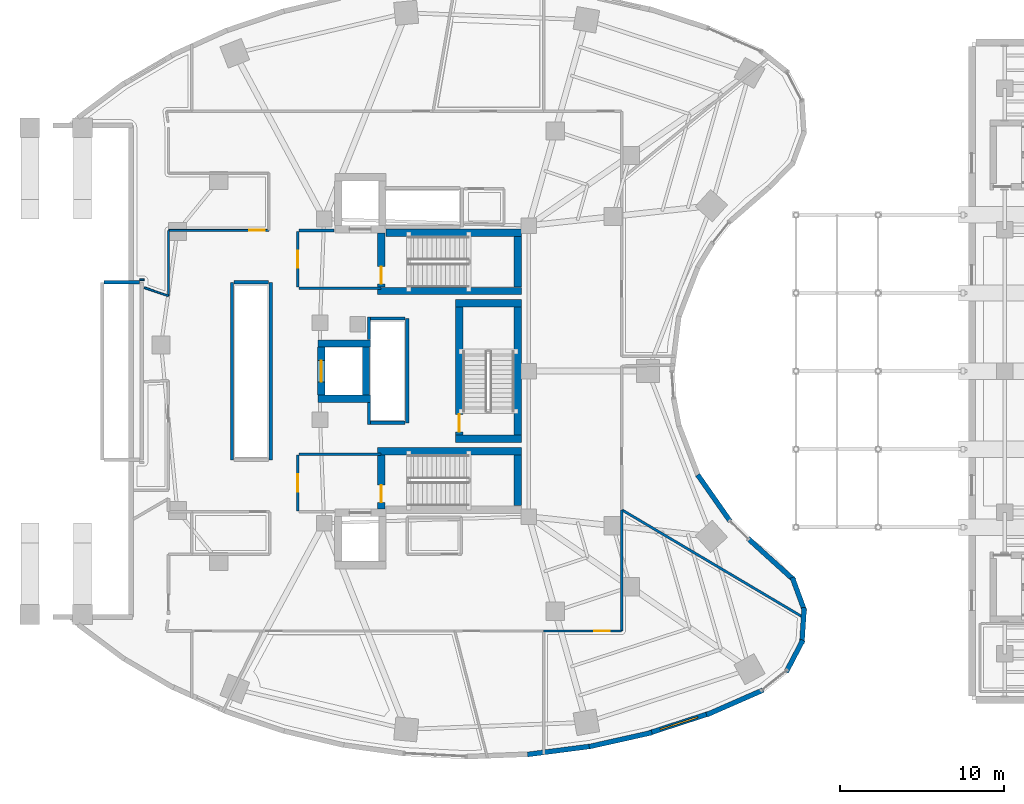
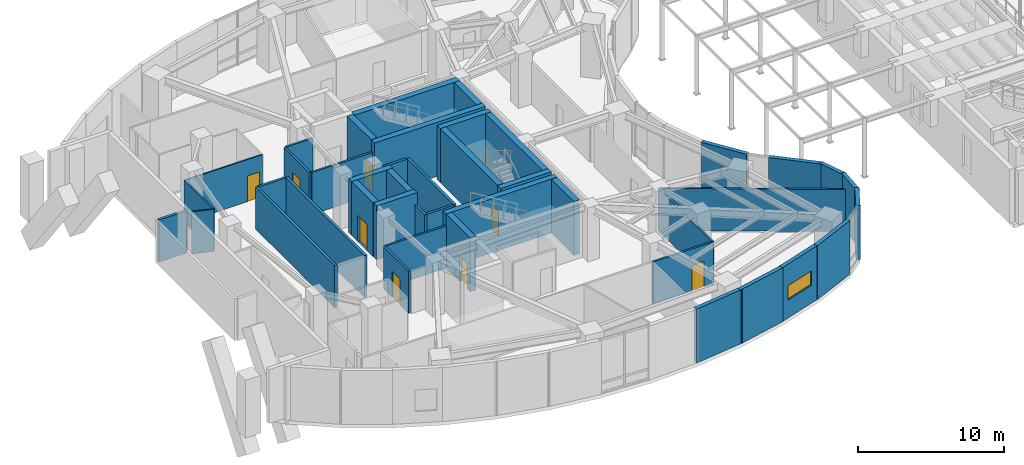
# One storey, part 16 of 24: 45 walls, 8 doors, 1 window, 9 openings.
"""IFC4 building model written with IfcOpenShell, lengths in metres."""

from ifc_helpers import new_model, si_unit, direction, frame, frame_2d, origin, place, context, subcontext, project, spatial, rectangle, extrude, material, layer, layer_set, type_object, element, fill, save


model = new_model("IFC4")

# Units and contexts
model_context = context("Model", 3, precision=1e-05, world=origin(), true_north=direction((0.0, 1.0)))
body_context = subcontext(model_context, "Body", "Model", "MODEL_VIEW")
ifc_project = project(units=[si_unit("LENGTHUNIT", "METRE"), si_unit("AREAUNIT", "SQUARE_METRE"), si_unit("VOLUMEUNIT", "CUBIC_METRE"), si_unit("PLANEANGLEUNIT", "RADIAN"), si_unit("MASSUNIT", "GRAM", prefix="KILO")], contexts=[model_context])

# Site, building, storey
site_placement = place(None, origin())
site = spatial("IfcSite", under=ifc_project, at=site_placement, CompositionType="ELEMENT")
building_placement = place(site_placement, origin())
building = spatial("IfcBuilding", under=site, at=building_placement, Name="Korentha Bioscience Tower", CompositionType="ELEMENT")
storey_placement = place(building_placement, frame((0.0, 0.0, 5.39990234375)))
storey = spatial("IfcBuildingStorey", under=building, at=storey_placement, Name="L01", CompositionType="ELEMENT", Elevation=5.39990234375)

# Wall, opening, door
ifc_material_1 = material(Name="Double-Stud Acoustic Gypsum", Category="gypsum")
ifc_layer_1 = layer(ifc_material_1, 0.14990234375, Name="Double-Stud Acoustic Gypsum")
ifc_layer_set_1 = layer_set([ifc_layer_1], Name="Double-Stud Acoustic Gypsum (IW-L150)")
wall_type_1 = type_object("IfcWallType", Name="Acoustic Laboratory Partition Wall 150", PredefinedType="PARTITIONING", material=ifc_layer_set_1)
wall_1_placement = place(storey_placement, frame((38.4580078125, 11.18994140625, 0.0), z_axis=(0.0, 0.0, 1.0), x_axis=(1.0, 0.0, 0.0)))
wall_1 = element("IfcWall", 1, at=wall_1_placement, inside=storey, type_object=wall_type_1, Name="L01 Bioscience Reference Library 07 Entrance Wall", PredefinedType="PARTITIONING", context=body_context, shape_type="SweptSolid", body=[
    extrude(rectangle(XDim=4.741943359375, YDim=0.14990234375, at=frame_2d((2.37109375, 0.0))), origin(), (0.0, 0.0, 1.0), 3.510009765625),
])
opening_1_placement = place(wall_1_placement, frame((3.063232421875, 0.0, 0.0)))
opening_1 = element("IfcOpeningElement", 2, at=opening_1_placement, cuts=wall_1, Name="Opening ID-10R", PredefinedType="OPENING", context=body_context, shape_type="SweptSolid", body=[
    extrude(rectangle(XDim=0.949951171875, YDim=2.14990234375, at=frame_2d((0.47509765625, 1.074951171875))), frame((0.0, 0.08984375, 0.0), z_axis=(0.0, -1.0, 0.0), x_axis=(1.0, 0.0, 0.0)), (0.0, 0.0, 1.0), 0.1796875),
])
ifc_material_2 = material(Name="Phenolic Laminate Timber Core", Category="wood")
door_type_1 = type_object("IfcDoorType", Name="Laboratory Single Leaf Door 950x2150 Right", OperationType="SINGLE_SWING_RIGHT", PredefinedType="DOOR", material=ifc_material_2)
door_1_placement = place(opening_1_placement, origin())
door_1 = element("IfcDoor", 3, at=door_1_placement, inside=storey, type_object=door_type_1, Name="L01 Bioscience Reference Library 07 Door", OperationType="SINGLE_SWING_RIGHT", OverallHeight=2.14990234375, OverallWidth=0.949951171875, PredefinedType="DOOR", context=body_context, shape_type="SweptSolid", body=[
    extrude(rectangle(XDim=0.949951171875, YDim=2.14990234375, at=frame_2d((0.47509765625, 1.074951171875))), frame((0.0, 0.02490234375, 0.0), z_axis=(0.0, -1.0, 0.0), x_axis=(1.0, 0.0, 0.0)), (0.0, 0.0, 1.0), 0.050048828125),
])
fill(opening_1, door_1)

# Walls
wall_2_placement = place(storey_placement, frame((43.2099609375, 11.199951171875, 0.0), z_axis=(0.0, 0.0, 1.0), x_axis=(0.0, 1.0, 0.0)))
element("IfcWall", 4, at=wall_2_placement, inside=storey, type_object=wall_type_1, Name="L01 Interior Partition 042", PredefinedType="PARTITIONING", context=body_context, shape_type="SweptSolid", body=[
    extrude(rectangle(XDim=7.3603515625, YDim=0.14990234375, at=frame_2d((3.68017578125, 0.0))), origin(), (0.0, 0.0, 1.0), 3.510009765625),
])
wall_3_placement = place(storey_placement, frame((43.2099609375, 18.560302734375, 0.0), z_axis=(0.0, 0.0, 1.0), x_axis=(0.860257852737, -0.509859222536, 0.0)))
element("IfcWall", 5, at=wall_3_placement, inside=storey, type_object=wall_type_1, Name="L01 Interior Partition 043", PredefinedType="PARTITIONING", context=body_context, shape_type="SweptSolid", body=[
    extrude(rectangle(XDim=12.95263671875, YDim=0.14990234375, at=frame_2d((6.476318359375, 0.0))), origin(), (0.0, 0.0, 1.0), 3.510009765625),
])

# Wall, opening, door
ifc_material_3 = material(Name="Fire-Rated Framed Glass", Category="glass")
ifc_layer_2 = layer(ifc_material_3, 0.110107421875, Name="Fire-Rated Framed Glass")
ifc_layer_set_2 = layer_set([ifc_layer_2], Name="Fire-Rated Framed Glass (IW-G110)")
wall_type_2 = type_object("IfcWallType", Name="Demountable Glazed Office Partition 110", PredefinedType="MOVABLE", material=ifc_layer_set_2)
wall_4_placement = place(storey_placement, frame((21.739990234375, 35.56005859375, 0.0), z_axis=(0.0, 0.0, 1.0), x_axis=(-1.0, 0.0, 0.0)))
wall_4 = element("IfcWall", 6, at=wall_4_placement, inside=storey, type_object=wall_type_2, Name="L01 Industry Incubator Co-Working Studio 13 Entrance Wall", PredefinedType="MOVABLE", context=body_context, shape_type="SweptSolid", body=[
    extrude(rectangle(XDim=6.10009765625, YDim=0.110107421875, at=frame_2d((3.050048828125, 0.0))), origin(), (0.0, 0.0, 1.0), 3.510009765625),
])
opening_2_placement = place(wall_4_placement, frame((0.239990234375, 0.0, 0.0)))
opening_2 = element("IfcOpeningElement", 7, at=opening_2_placement, cuts=wall_4, Name="Opening ID-10R", PredefinedType="OPENING", context=body_context, shape_type="SweptSolid", body=[
    extrude(rectangle(XDim=0.949951171875, YDim=2.14990234375, at=frame_2d((0.47509765625, 1.074951171875))), frame((0.0, 0.06982421875, 0.0), z_axis=(0.0, -1.0, 0.0), x_axis=(1.0, 0.0, 0.0)), (0.0, 0.0, 1.0), 0.139892578125),
])
door_2_placement = place(opening_2_placement, origin())
door_2 = element("IfcDoor", 8, at=door_2_placement, inside=storey, type_object=door_type_1, Name="L01 Industry Incubator Co-Working Studio 13 Door", OperationType="SINGLE_SWING_RIGHT", OverallHeight=2.14990234375, OverallWidth=0.949951171875, PredefinedType="DOOR", context=body_context, shape_type="SweptSolid", body=[
    extrude(rectangle(XDim=0.949951171875, YDim=2.14990234375, at=frame_2d((0.47509765625, 1.074951171875))), frame((0.0, 0.02490234375, 0.0), z_axis=(0.0, -1.0, 0.0), x_axis=(1.0, 0.0, 0.0)), (0.0, 0.0, 1.0), 0.050048828125),
])
fill(opening_2, door_2)

# Walls
wall_5_placement = place(storey_placement, frame((15.6298828125, 35.550048828125, 0.0), z_axis=(0.0, 0.0, 1.0), x_axis=(0.0, -1.0, 0.0)))
element("IfcWall", 9, at=wall_5_placement, inside=storey, type_object=wall_type_2, Name="L01 Interior Partition 056", PredefinedType="MOVABLE", context=body_context, shape_type="SweptSolid", body=[
    extrude(rectangle(XDim=3.977294921875, YDim=0.110107421875, at=frame_2d((1.98876953125, 0.0))), origin(), (0.0, 0.0, 1.0), 3.510009765625),
])
wall_6_placement = place(storey_placement, frame((15.6298828125, 31.57275390625, 0.0), z_axis=(0.0, 0.0, 1.0), x_axis=(-0.946058826871, 0.323994901347, 0.0)))
element("IfcWall", 10, at=wall_6_placement, inside=storey, type_object=wall_type_2, Name="L01 Interior Partition 057", PredefinedType="MOVABLE", context=body_context, shape_type="SweptSolid", body=[
    extrude(rectangle(XDim=1.5537109375, YDim=0.110107421875, at=frame_2d((0.77685546875, 0.0))), origin(), (0.0, 0.0, 1.0), 3.510009765625),
])
wall_7_placement = place(storey_placement, frame((14.14990234375, 32.56005859375, 0.0), z_axis=(0.0, 0.0, 1.0), x_axis=(-1.0, 0.0, 0.0)))
element("IfcWall", 11, at=wall_7_placement, inside=storey, type_object=wall_type_2, Name="L01 Interior Partition 058", PredefinedType="MOVABLE", context=body_context, shape_type="SweptSolid", body=[
    extrude(rectangle(XDim=0.27001953125, YDim=0.110107421875, at=frame_2d((0.135009765625, 0.0))), origin(), (0.0, 0.0, 1.0), 3.510009765625),
])

# Wall, opening, door
ifc_material_4 = material(Name="Gypsum-Clad Steel Stud", Category="steel")
ifc_layer_3 = layer(ifc_material_4, 0.159912109375, Name="Gypsum-Clad Steel Stud")
ifc_layer_set_3 = layer_set([ifc_layer_3], Name="Gypsum-Clad Steel Stud (IW-C160)")
wall_type_3 = type_object("IfcWallType", Name="Fire-Rated Corridor Partition Wall 160", PredefinedType="PARTITIONING", material=ifc_layer_set_3)
wall_8_placement = place(storey_placement, frame((23.5, 32.10009765625, 0.0), z_axis=(0.0, 0.0, 1.0), x_axis=(0.0, 1.0, 0.0)))
wall_8 = element("IfcWall", 12, at=wall_8_placement, inside=storey, type_object=wall_type_3, Name="L01 FFLN-CW Rated Enclosure Wall", PredefinedType="PARTITIONING", context=body_context, shape_type="SweptSolid", body=[
    extrude(rectangle(XDim=3.39990234375, YDim=0.159912109375, at=frame_2d((1.699951171875, 0.0))), origin(), (0.0, 0.0, 1.0), 3.510009765625),
])
opening_3_placement = place(wall_8_placement, frame((1.175048828125, 0.0, 0.0)))
opening_3 = element("IfcOpeningElement", 13, at=opening_3_placement, cuts=wall_8, Name="Opening FD-90R", PredefinedType="OPENING", context=body_context, shape_type="SweptSolid", body=[
    extrude(rectangle(XDim=1.050048828125, YDim=2.14990234375, at=frame_2d((0.52490234375, 1.074951171875))), frame((0.0, 0.0947265625, 0.0), z_axis=(0.0, -1.0, 0.0), x_axis=(1.0, 0.0, 0.0)), (0.0, 0.0, 1.0), 0.189697265625),
])
ifc_material_5 = material(Name="Powder-Coated Fire-Rated Steel", Category="steel")
door_type_2 = type_object("IfcDoorType", Name="Stairwell Fire Exit Door 1050x2150 Right", OperationType="SINGLE_SWING_RIGHT", PredefinedType="DOOR", material=ifc_material_5)
door_3_placement = place(opening_3_placement, origin())
door_3 = element("IfcDoor", 14, at=door_3_placement, inside=storey, type_object=door_type_2, Name="L01 North Firefighting Lobby Door", OperationType="SINGLE_SWING_RIGHT", OverallHeight=2.14990234375, OverallWidth=1.050048828125, PredefinedType="DOOR", context=body_context, shape_type="SweptSolid", body=[
    extrude(rectangle(XDim=1.050048828125, YDim=2.14990234375, at=frame_2d((0.52490234375, 1.074951171875))), frame((0.0, 0.02490234375, 0.0), z_axis=(0.0, -1.0, 0.0), x_axis=(1.0, 0.0, 0.0)), (0.0, 0.0, 1.0), 0.050048828125),
])
fill(opening_3, door_3)

wall_9_placement = place(storey_placement, frame((23.5, 18.5, 0.0), z_axis=(0.0, 0.0, 1.0), x_axis=(0.0, 1.0, 0.0)))
wall_9 = element("IfcWall", 15, at=wall_9_placement, inside=storey, type_object=wall_type_3, Name="L01 FFLS-CW Rated Enclosure Wall", PredefinedType="PARTITIONING", context=body_context, shape_type="SweptSolid", body=[
    extrude(rectangle(XDim=3.39990234375, YDim=0.159912109375, at=frame_2d((1.699951171875, 0.0))), origin(), (0.0, 0.0, 1.0), 3.510009765625),
])
opening_4_placement = place(wall_9_placement, frame((1.175048828125, 0.0, 0.0)))
opening_4 = element("IfcOpeningElement", 16, at=opening_4_placement, cuts=wall_9, Name="Opening FD-90R", PredefinedType="OPENING", context=body_context, shape_type="SweptSolid", body=[
    extrude(rectangle(XDim=1.050048828125, YDim=2.14990234375, at=frame_2d((0.52490234375, 1.074951171875))), frame((0.0, 0.0947265625, 0.0), z_axis=(0.0, -1.0, 0.0), x_axis=(1.0, 0.0, 0.0)), (0.0, 0.0, 1.0), 0.189697265625),
])
door_4_placement = place(opening_4_placement, origin())
door_4 = element("IfcDoor", 17, at=door_4_placement, inside=storey, type_object=door_type_2, Name="L01 South Firefighting Lobby Door", OperationType="SINGLE_SWING_RIGHT", OverallHeight=2.14990234375, OverallWidth=1.050048828125, PredefinedType="DOOR", context=body_context, shape_type="SweptSolid", body=[
    extrude(rectangle(XDim=1.050048828125, YDim=2.14990234375, at=frame_2d((0.52490234375, 1.074951171875))), frame((0.0, 0.02490234375, 0.0), z_axis=(0.0, -1.0, 0.0), x_axis=(1.0, 0.0, 0.0)), (0.0, 0.0, 1.0), 0.050048828125),
])
fill(opening_4, door_4)

# Walls
wall_10_placement = place(storey_placement, frame((23.580078125, 32.050048828125, 0.0), z_axis=(0.0, 0.0, 1.0), x_axis=(1.0, 0.0, 0.0)))
element("IfcWall", 18, at=wall_10_placement, inside=storey, type_object=wall_type_3, Name="L01 Firefighting Lobby Return Wall FFLN-S", PredefinedType="PARTITIONING", context=body_context, shape_type="SweptSolid", body=[
    extrude(rectangle(XDim=4.969970703125, YDim=0.159912109375, at=frame_2d((2.48486328125, 0.0))), origin(), (0.0, 0.0, 1.0), 3.510009765625),
])
wall_11_placement = place(storey_placement, frame((23.580078125, 35.550048828125, 0.0), z_axis=(0.0, 0.0, 1.0), x_axis=(1.0, 0.0, 0.0)))
element("IfcWall", 19, at=wall_11_placement, inside=storey, type_object=wall_type_3, Name="L01 Firefighting Lobby Return Wall FFLN-N", PredefinedType="PARTITIONING", context=body_context, shape_type="SweptSolid", body=[
    extrude(rectangle(XDim=2.119873046875, YDim=0.159912109375, at=frame_2d((1.06005859375, 0.0))), origin(), (0.0, 0.0, 1.0), 3.510009765625),
])
wall_12_placement = place(storey_placement, frame((23.580078125, 21.949951171875, 0.0), z_axis=(0.0, 0.0, 1.0), x_axis=(1.0, 0.0, 0.0)))
element("IfcWall", 20, at=wall_12_placement, inside=storey, type_object=wall_type_3, Name="L01 Firefighting Lobby Return Wall FFLS-N", PredefinedType="PARTITIONING", context=body_context, shape_type="SweptSolid", body=[
    extrude(rectangle(XDim=4.969970703125, YDim=0.159912109375, at=frame_2d((2.48486328125, 0.0))), origin(), (0.0, 0.0, 1.0), 3.510009765625),
])

# Wall, opening, window
ifc_material_6 = material(Name="Honed Limestone Precast Concrete C40", Category="masonry")
ifc_layer_4 = layer(ifc_material_6, 0.300048828125, Name="Honed Limestone Precast Concrete C40")
ifc_layer_set_4 = layer_set([ifc_layer_4], Name="Honed Limestone Precast Concrete C40 (EW-ST300)")
wall_type_4 = type_object("IfcWallType", Name="Honed Limestone Cavity Spandrel Wall 300", PredefinedType="STANDARD", material=ifc_layer_set_4)
wall_13_placement = place(storey_placement, frame((44.885498046875, 4.98828125, 0.0), z_axis=(0.0, 0.0, 1.0), x_axis=(0.950958033078, 0.30931993037, 0.0)))
wall_13 = element("IfcWall", 21, at=wall_13_placement, inside=storey, type_object=wall_type_4, Name="L01 Honed Limestone Spandrel Wall 35", PredefinedType="STANDARD", context=body_context, shape_type="SweptSolid", body=[
    extrude(rectangle(XDim=3.80029296875, YDim=0.300048828125, at=frame_2d((1.900146484375, 0.0))), origin(), (0.0, 0.0, 1.0), 4.5),
])
opening_5_placement = place(wall_13_placement, frame((0.7001953125, 0.0, 1.5)))
opening_5 = element("IfcOpeningElement", 22, at=opening_5_placement, cuts=wall_13, Name="Opening WN-04", PredefinedType="OPENING", context=body_context, shape_type="SweptSolid", body=[
    extrude(rectangle(XDim=2.39990234375, YDim=1.199951171875, at=frame_2d((1.199951171875, 0.60009765625))), frame((0.0, 0.1650390625, 0.0), z_axis=(0.0, -1.0, 0.0), x_axis=(1.0, 0.0, 0.0)), (0.0, 0.0, 1.0), 0.329833984375),
])
ifc_material_7 = material(Name="Thermally Broken Aluminium Triple Glazing", Category="aluminium")
window_type = type_object("IfcWindowType", Name="Podium Clerestory Ribbon Window 2400x1200", PartitioningType="DOUBLE_PANEL_HORIZONTAL", PredefinedType="WINDOW", material=ifc_material_7)
window_placement = place(opening_5_placement, origin())
window = element("IfcWindow", 23, at=window_placement, inside=storey, type_object=window_type, Name="L01 Facade Window 35", OverallHeight=1.199951171875, OverallWidth=2.39990234375, PartitioningType="DOUBLE_PANEL_HORIZONTAL", PredefinedType="WINDOW", context=body_context, shape_type="SweptSolid", body=[
    extrude(rectangle(XDim=2.39990234375, YDim=1.199951171875, at=frame_2d((1.199951171875, 0.60009765625))), frame((0.0, 0.030029296875, 0.0), z_axis=(0.0, -1.0, 0.0), x_axis=(1.0, 0.0, 0.0)), (0.0, 0.0, 1.0), 0.06005859375),
])
fill(opening_5, window)

# Walls
wall_14_placement = place(storey_placement, frame((37.471923828125, 3.677734375, 0.0), z_axis=(0.0, 0.0, 1.0), x_axis=(0.991734095036, 0.128310111617, 0.0)))
element("IfcWall", 24, at=wall_14_placement, inside=storey, type_object=wall_type_4, Name="L01 Limestone Perimeter Closure Wall 33", PredefinedType="STANDARD", context=body_context, shape_type="SweptSolid", body=[
    extrude(rectangle(XDim=3.955810546875, YDim=0.300048828125, at=frame_2d((1.97802734375, 0.0))), origin(), (0.0, 0.0, 1.0), 4.5),
])
wall_15_placement = place(storey_placement, frame((41.22509765625, 4.1552734375, 0.0), z_axis=(0.0, 0.0, 1.0), x_axis=(0.975868573345, 0.218358713032, 0.0)))
element("IfcWall", 25, at=wall_15_placement, inside=storey, type_object=wall_type_4, Name="L01 Limestone Perimeter Closure Wall 34", PredefinedType="STANDARD", context=body_context, shape_type="SweptSolid", body=[
    extrude(rectangle(XDim=3.90869140625, YDim=0.300048828125, at=frame_2d((1.954345703125, 0.0))), origin(), (0.0, 0.0, 1.0), 4.5),
])
wall_16_placement = place(storey_placement, frame((48.3623046875, 6.089111328125, 0.0), z_axis=(0.0, 0.0, 1.0), x_axis=(0.915945168042, 0.401303437738, 0.0)))
element("IfcWall", 26, at=wall_16_placement, inside=storey, type_object=wall_type_4, Name="L01 Limestone Perimeter Closure Wall 36", PredefinedType="STANDARD", context=body_context, shape_type="SweptSolid", body=[
    extrude(rectangle(XDim=3.75244140625, YDim=0.300048828125, at=frame_2d((1.876220703125, 0.0))), origin(), (0.0, 0.0, 1.0), 4.5),
])
wall_17_placement = place(storey_placement, frame((53.20751953125, 8.691650390625, 0.0), z_axis=(0.0, 0.0, 1.0), x_axis=(0.463035066673, 0.886339961319, 0.0)))
element("IfcWall", 27, at=wall_17_placement, inside=storey, type_object=wall_type_4, Name="L01 Limestone Perimeter Closure Wall 38", PredefinedType="STANDARD", context=body_context, shape_type="SweptSolid", body=[
    extrude(rectangle(XDim=2.1875, YDim=0.300048828125, at=frame_2d((1.09375, 0.0))), origin(), (0.0, 0.0, 1.0), 4.5),
])
for number, where, z_axis, x_axis, name in (
    (28, (54.16259765625, 10.42431640625, 0.0), (0.0, 0.0, 1.0), (0.064615302336, 0.99791024782, 0.0), "L01 Limestone Perimeter Closure Wall 39"),
    (29, (54.334716796875, 12.39501953125, 0.0), (0.0, 0.0, 1.0), (-0.344939866054, 0.938624785954, 0.0), "L01 Limestone Perimeter Closure Wall 40"),
):
    element("IfcWall", number, at=place(storey_placement, frame(where, z_axis=z_axis, x_axis=x_axis)), inside=storey, type_object=wall_type_4, Name=name, PredefinedType="STANDARD", context=body_context, shape_type="SweptSolid", body=[
        extrude(rectangle(XDim=2.187744140625, YDim=0.300048828125, at=frame_2d((1.09375, 0.0))), origin(), (0.0, 0.0, 1.0), 4.5),
    ])
wall_18_placement = place(storey_placement, frame((53.704345703125, 14.26416015625, 0.0), z_axis=(0.0, 0.0, 1.0), x_axis=(-0.74117794387, 0.671308614216, 0.0)))
element("IfcWall", 30, at=wall_18_placement, inside=storey, type_object=wall_type_4, Name="L01 Limestone Perimeter Closure Wall 41", PredefinedType="STANDARD", context=body_context, shape_type="SweptSolid", body=[
    extrude(rectangle(XDim=3.815673828125, YDim=0.300048828125, at=frame_2d((1.90771484375, 0.0))), origin(), (0.0, 0.0, 1.0), 4.5),
])
wall_19_placement = place(storey_placement, frame((49.79248046875, 17.8779296875, 0.0), z_axis=(0.0, 0.0, 1.0), x_axis=(-0.573576992806, 0.819151654655, 0.0)))
element("IfcWall", 31, at=wall_19_placement, inside=storey, type_object=wall_type_4, Name="L01 Limestone Perimeter Closure Wall 44", PredefinedType="STANDARD", context=body_context, shape_type="SweptSolid", body=[
    extrude(rectangle(XDim=3.429931640625, YDim=0.300048828125, at=frame_2d((1.71484375, 0.0))), origin(), (0.0, 0.0, 1.0), 4.5),
])
ifc_material_8 = material(Name="Autoclaved Aerated Concrete Block C25", Category="concrete")
ifc_layer_5 = layer(ifc_material_8, 0.199951171875, Name="Autoclaved Aerated Concrete Block C25")
ifc_layer_set_5 = layer_set([ifc_layer_5], Name="Autoclaved Aerated Concrete Block C25 (IW-S200)")
wall_type_5 = type_object("IfcWallType", Name="Lift and Riser Shaft Enclosure Wall 200", PredefinedType="PARTITIONING", material=ifc_layer_set_5)
wall_20_placement = place(storey_placement, frame((11.719970703125, 32.39990234375, 0.0), z_axis=(0.0, 0.0, 1.0), x_axis=(1.0, 0.0, 0.0)))
element("IfcWall", 32, at=wall_20_placement, inside=storey, type_object=wall_type_5, Name="L01 Lift Bank LOW Shaft Wall +Y", PredefinedType="PARTITIONING", context=body_context, shape_type="SweptSolid", body=[
    extrude(rectangle(XDim=2.159912109375, YDim=0.199951171875, at=frame_2d((1.080078125, 0.0))), origin(), (0.0, 0.0, 1.0), 3.510009765625),
])
for number, where, z_axis, x_axis, name in (
    (33, (19.5, 21.60009765625, 0.0), (0.0, 0.0, 1.0), (0.0, 1.0, 0.0), "L01 Lift Bank MID Shaft Wall -X"),
    (34, (21.85009765625, 21.60009765625, 0.0), (0.0, 0.0, 1.0), (0.0, 1.0, 0.0), "L01 Lift Bank MID Shaft Wall +X"),
):
    element("IfcWall", number, at=place(storey_placement, frame(where, z_axis=z_axis, x_axis=x_axis)), inside=storey, type_object=wall_type_5, Name=name, PredefinedType="PARTITIONING", context=body_context, shape_type="SweptSolid", body=[
        extrude(rectangle(XDim=10.7998046875, YDim=0.199951171875, at=frame_2d((5.39990234375, 0.0))), origin(), (0.0, 0.0, 1.0), 3.510009765625),
    ])
wall_21_placement = place(storey_placement, frame((19.6201171875, 32.39990234375, 0.0), z_axis=(0.0, 0.0, 1.0), x_axis=(1.0, 0.0, 0.0)))
element("IfcWall", 35, at=wall_21_placement, inside=storey, type_object=wall_type_5, Name="L01 Lift Bank MID Shaft Wall +Y", PredefinedType="PARTITIONING", context=body_context, shape_type="SweptSolid", body=[
    extrude(rectangle(XDim=2.10986328125, YDim=0.199951171875, at=frame_2d((1.054931640625, 0.0))), origin(), (0.0, 0.0, 1.0), 3.510009765625),
])
wall_22_placement = place(storey_placement, frame((27.830078125, 23.75, 0.0), z_axis=(0.0, 0.0, 1.0), x_axis=(0.0, 1.0, 0.0)))
element("IfcWall", 36, at=wall_22_placement, inside=storey, type_object=wall_type_5, Name="L01 Lift Bank HIGH Shaft Wall -XS", PredefinedType="PARTITIONING", context=body_context, shape_type="SweptSolid", body=[
    extrude(rectangle(XDim=1.341064453125, YDim=0.199951171875, at=frame_2d((0.67041015625, 0.0))), origin(), (0.0, 0.0, 1.0), 3.510009765625),
])
wall_23_placement = place(storey_placement, frame((27.830078125, 28.908935546875, 0.0), z_axis=(0.0, 0.0, 1.0), x_axis=(0.0, 1.0, 0.0)))
element("IfcWall", 37, at=wall_23_placement, inside=storey, type_object=wall_type_5, Name="L01 Lift Bank HIGH Shaft Wall -XN", PredefinedType="PARTITIONING", context=body_context, shape_type="SweptSolid", body=[
    extrude(rectangle(XDim=1.39111328125, YDim=0.199951171875, at=frame_2d((0.695556640625, 0.0))), origin(), (0.0, 0.0, 1.0), 3.510009765625),
])
wall_24_placement = place(storey_placement, frame((30.14990234375, 23.85009765625, 0.0), z_axis=(0.0, 0.0, 1.0), x_axis=(0.0, 1.0, 0.0)))
element("IfcWall", 38, at=wall_24_placement, inside=storey, type_object=wall_type_5, Name="L01 Lift Bank HIGH Shaft Wall +X", PredefinedType="PARTITIONING", context=body_context, shape_type="SweptSolid", body=[
    extrude(rectangle(XDim=6.349853515625, YDim=0.199951171875, at=frame_2d((3.1748046875, 0.0))), origin(), (0.0, 0.0, 1.0), 3.510009765625),
])
for number, where, z_axis, x_axis, name in (
    (39, (27.93408203125, 23.85009765625, 0.0), (0.0, 0.0, 1.0), (1.0, 0.0, 0.0), "L01 Lift Bank HIGH Shaft Wall -Y"),
    (40, (27.93408203125, 30.199951171875, 0.0), (0.0, 0.0, 1.0), (1.0, 0.0, 0.0), "L01 Lift Bank HIGH Shaft Wall +Y"),
):
    element("IfcWall", number, at=place(storey_placement, frame(where, z_axis=z_axis, x_axis=x_axis)), inside=storey, type_object=wall_type_5, Name=name, PredefinedType="PARTITIONING", context=body_context, shape_type="SweptSolid", body=[
        extrude(rectangle(XDim=2.095947265625, YDim=0.199951171875, at=frame_2d((1.0478515625, 0.0))), origin(), (0.0, 0.0, 1.0), 3.510009765625),
    ])
ifc_material_9 = material(Name="Concrete C80", Category="concrete")
ifc_layer_6 = layer(ifc_material_9, 0.449951171875, Name="Concrete C80")
ifc_layer_set_6 = layer_set([ifc_layer_6], Name="Concrete C80 (CW-C80)")
wall_type_6 = type_object("IfcWallType", Name="Lower Core Shear Wall 450", PredefinedType="SHEAR", material=ifc_layer_set_6)
wall_25_placement = place(storey_placement, frame((28.85205078125, 35.425048828125, 0.0), z_axis=(0.0, 0.0, 1.0), x_axis=(1.0, 0.0, 0.0)))
element("IfcWall", 41, at=wall_25_placement, inside=storey, type_object=wall_type_6, Name="L01 Core Shear Wall ST1-N", PredefinedType="SHEAR", context=body_context, shape_type="SweptSolid", body=[
    extrude(rectangle(XDim=8.248046875, YDim=0.449951171875, at=frame_2d((4.1240234375, 0.0))), origin(), (0.0, 0.0, 1.0), 4.5),
])
wall_26_placement = place(storey_placement, frame((28.35009765625, 31.875, 0.0), z_axis=(0.0, 0.0, 1.0), x_axis=(1.0, 0.0, 0.0)))
element("IfcWall", 42, at=wall_26_placement, inside=storey, type_object=wall_type_6, Name="L01 Core Shear Wall ST1-S", PredefinedType="SHEAR", context=body_context, shape_type="SweptSolid", body=[
    extrude(rectangle(XDim=8.75, YDim=0.449951171875, at=frame_2d((4.375, 0.0))), origin(), (0.0, 0.0, 1.0), 4.5),
])
wall_27_placement = place(storey_placement, frame((36.875, 32.110107421875, 0.0), z_axis=(0.0, 0.0, 1.0), x_axis=(0.0, 1.0, 0.0)))
element("IfcWall", 43, at=wall_27_placement, inside=storey, type_object=wall_type_6, Name="L01 Core Shear Wall ST1-E", PredefinedType="SHEAR", context=body_context, shape_type="SweptSolid", body=[
    extrude(rectangle(XDim=3.079833984375, YDim=0.449951171875, at=frame_2d((1.5400390625, 0.0))), origin(), (0.0, 0.0, 1.0), 4.5),
])

# Wall, opening, door
wall_28_placement = place(storey_placement, frame((28.574951171875, 32.110107421875, 0.0), z_axis=(0.0, 0.0, 1.0), x_axis=(0.0, 1.0, 0.0)))
wall_28 = element("IfcWall", 44, at=wall_28_placement, inside=storey, type_object=wall_type_6, Name="L01 Core Shear Wall ST1-W", PredefinedType="SHEAR", context=body_context, shape_type="SweptSolid", body=[
    extrude(rectangle(XDim=3.282958984375, YDim=0.449951171875, at=frame_2d((1.6416015625, 0.0))), origin(), (0.0, 0.0, 1.0), 4.5),
])
opening_6_placement = place(wall_28_placement, frame((0.199951171875, 0.0, 0.0)))
opening_6 = element("IfcOpeningElement", 45, at=opening_6_placement, cuts=wall_28, Name="Opening FD-90R", PredefinedType="OPENING", context=body_context, shape_type="SweptSolid", body=[
    extrude(rectangle(XDim=1.050048828125, YDim=2.14990234375, at=frame_2d((0.52490234375, 1.074951171875))), frame((0.0, 0.23974609375, 0.0), z_axis=(0.0, -1.0, 0.0), x_axis=(1.0, 0.0, 0.0)), (0.0, 0.0, 1.0), 0.479736328125),
])
door_5_placement = place(opening_6_placement, origin())
door_5 = element("IfcDoor", 46, at=door_5_placement, inside=storey, type_object=door_type_2, Name="L01 ST-1 Fire Exit Stair Door", OperationType="SINGLE_SWING_RIGHT", OverallHeight=2.14990234375, OverallWidth=1.050048828125, PredefinedType="DOOR", context=body_context, shape_type="SweptSolid", body=[
    extrude(rectangle(XDim=1.050048828125, YDim=2.14990234375, at=frame_2d((0.52490234375, 1.074951171875))), frame((0.0, 0.02490234375, 0.0), z_axis=(0.0, -1.0, 0.0), x_axis=(1.0, 0.0, 0.0)), (0.0, 0.0, 1.0), 0.050048828125),
])
fill(opening_6, door_5)

# Walls
wall_29_placement = place(storey_placement, frame((28.35009765625, 22.125, 0.0), z_axis=(0.0, 0.0, 1.0), x_axis=(1.0, 0.0, 0.0)))
element("IfcWall", 47, at=wall_29_placement, inside=storey, type_object=wall_type_6, Name="L01 Core Shear Wall ST2-N", PredefinedType="SHEAR", context=body_context, shape_type="SweptSolid", body=[
    extrude(rectangle(XDim=8.75, YDim=0.449951171875, at=frame_2d((4.375, 0.0))), origin(), (0.0, 0.0, 1.0), 4.5),
])
wall_30_placement = place(storey_placement, frame((36.875, 18.81005859375, 0.0), z_axis=(0.0, 0.0, 1.0), x_axis=(0.0, 1.0, 0.0)))
element("IfcWall", 48, at=wall_30_placement, inside=storey, type_object=wall_type_6, Name="L01 Core Shear Wall ST2-E", PredefinedType="SHEAR", context=body_context, shape_type="SweptSolid", body=[
    extrude(rectangle(XDim=3.079833984375, YDim=0.449951171875, at=frame_2d((1.5400390625, 0.0))), origin(), (0.0, 0.0, 1.0), 4.5),
])

# Wall, opening, door
wall_31_placement = place(storey_placement, frame((28.574951171875, 18.60693359375, 0.0), z_axis=(0.0, 0.0, 1.0), x_axis=(0.0, 1.0, 0.0)))
wall_31 = element("IfcWall", 49, at=wall_31_placement, inside=storey, type_object=wall_type_6, Name="L01 Core Shear Wall ST2-W", PredefinedType="SHEAR", context=body_context, shape_type="SweptSolid", body=[
    extrude(rectangle(XDim=3.282958984375, YDim=0.449951171875, at=frame_2d((1.6416015625, 0.0))), origin(), (0.0, 0.0, 1.0), 4.5),
])
opening_7_placement = place(wall_31_placement, frame((0.403076171875, 0.0, 0.0)))
opening_7 = element("IfcOpeningElement", 50, at=opening_7_placement, cuts=wall_31, Name="Opening FD-90R", PredefinedType="OPENING", context=body_context, shape_type="SweptSolid", body=[
    extrude(rectangle(XDim=1.050048828125, YDim=2.14990234375, at=frame_2d((0.52490234375, 1.074951171875))), frame((0.0, 0.23974609375, 0.0), z_axis=(0.0, -1.0, 0.0), x_axis=(1.0, 0.0, 0.0)), (0.0, 0.0, 1.0), 0.479736328125),
])
door_6_placement = place(opening_7_placement, origin())
door_6 = element("IfcDoor", 51, at=door_6_placement, inside=storey, type_object=door_type_2, Name="L01 ST-2 Fire Exit Stair Door", OperationType="SINGLE_SWING_RIGHT", OverallHeight=2.14990234375, OverallWidth=1.050048828125, PredefinedType="DOOR", context=body_context, shape_type="SweptSolid", body=[
    extrude(rectangle(XDim=1.050048828125, YDim=2.14990234375, at=frame_2d((0.52490234375, 1.074951171875))), frame((0.0, 0.02490234375, 0.0), z_axis=(0.0, -1.0, 0.0), x_axis=(1.0, 0.0, 0.0)), (0.0, 0.0, 1.0), 0.050048828125),
])
fill(opening_7, door_6)

# Walls
for number, where, z_axis, x_axis, name in (
    (52, (33.10009765625, 31.125, 0.0), (0.0, 0.0, 1.0), (1.0, 0.0, 0.0), "L01 Core Shear Wall ST3-N"),
    (53, (33.10009765625, 22.875, 0.0), (0.0, 0.0, 1.0), (1.0, 0.0, 0.0), "L01 Core Shear Wall ST3-S"),
):
    element("IfcWall", number, at=place(storey_placement, frame(where, z_axis=z_axis, x_axis=x_axis)), inside=storey, type_object=wall_type_6, Name=name, PredefinedType="SHEAR", context=body_context, shape_type="SweptSolid", body=[
        extrude(rectangle(XDim=4.0, YDim=0.449951171875, at=frame_2d((2.0, 0.0))), origin(), (0.0, 0.0, 1.0), 4.5),
    ])
wall_32_placement = place(storey_placement, frame((36.875, 23.110107421875, 0.0), z_axis=(0.0, 0.0, 1.0), x_axis=(0.0, 1.0, 0.0)))
element("IfcWall", 54, at=wall_32_placement, inside=storey, type_object=wall_type_6, Name="L01 Core Shear Wall ST3-E", PredefinedType="SHEAR", context=body_context, shape_type="SweptSolid", body=[
    extrude(rectangle(XDim=7.77978515625, YDim=0.449951171875, at=frame_2d((3.889892578125, 0.0))), origin(), (0.0, 0.0, 1.0), 4.5),
])

# Wall, opening, door
wall_33_placement = place(storey_placement, frame((33.324951171875, 23.110107421875, 0.0), z_axis=(0.0, 0.0, 1.0), x_axis=(0.0, 1.0, 0.0)))
wall_33 = element("IfcWall", 55, at=wall_33_placement, inside=storey, type_object=wall_type_6, Name="L01 Core Shear Wall ST3-W", PredefinedType="SHEAR", context=body_context, shape_type="SweptSolid", body=[
    extrude(rectangle(XDim=7.77978515625, YDim=0.449951171875, at=frame_2d((3.889892578125, 0.0))), origin(), (0.0, 0.0, 1.0), 4.5),
])
opening_8_placement = place(wall_33_placement, frame((0.199951171875, 0.0, 0.0)))
opening_8 = element("IfcOpeningElement", 56, at=opening_8_placement, cuts=wall_33, Name="Opening FD-90R", PredefinedType="OPENING", context=body_context, shape_type="SweptSolid", body=[
    extrude(rectangle(XDim=1.050048828125, YDim=2.14990234375, at=frame_2d((0.52490234375, 1.074951171875))), frame((0.0, 0.23974609375, 0.0), z_axis=(0.0, -1.0, 0.0), x_axis=(1.0, 0.0, 0.0)), (0.0, 0.0, 1.0), 0.479736328125),
])
door_7_placement = place(opening_8_placement, origin())
door_7 = element("IfcDoor", 57, at=door_7_placement, inside=storey, type_object=door_type_2, Name="L01 ST-3 Fire Exit Stair Door", OperationType="SINGLE_SWING_RIGHT", OverallHeight=2.14990234375, OverallWidth=1.050048828125, PredefinedType="DOOR", context=body_context, shape_type="SweptSolid", body=[
    extrude(rectangle(XDim=1.050048828125, YDim=2.14990234375, at=frame_2d((0.52490234375, 1.074951171875))), frame((0.0, 0.02490234375, 0.0), z_axis=(0.0, -1.0, 0.0), x_axis=(1.0, 0.0, 0.0)), (0.0, 0.0, 1.0), 0.050048828125),
])
fill(opening_8, door_7)

# Walls
for number, where, z_axis, x_axis, name in (
    (58, (24.719970703125, 28.679931640625, 0.0), (0.0, 0.0, 1.0), (1.0, 0.0, 0.0), "L01 Core Shear Wall SVL1-N"),
    (59, (24.719970703125, 25.320068359375, 0.0), (0.0, 0.0, 1.0), (1.0, 0.0, 0.0), "L01 Core Shear Wall SVL1-S"),
):
    element("IfcWall", number, at=place(storey_placement, frame(where, z_axis=z_axis, x_axis=x_axis)), inside=storey, type_object=wall_type_6, Name=name, PredefinedType="SHEAR", context=body_context, shape_type="SweptSolid", body=[
        extrude(rectangle(XDim=3.2099609375, YDim=0.449951171875, at=frame_2d((1.60498046875, 0.0))), origin(), (0.0, 0.0, 1.0), 4.5),
    ])

# Wall, opening, door
wall_34_placement = place(storey_placement, frame((24.919921875, 25.547119140625, 0.0), z_axis=(0.0, 0.0, 1.0), x_axis=(0.0, 1.0, 0.0)))
wall_34 = element("IfcWall", 60, at=wall_34_placement, inside=storey, type_object=wall_type_6, Name="L01 Core Shear Wall SVL1-W", PredefinedType="SHEAR", context=body_context, shape_type="SweptSolid", body=[
    extrude(rectangle(XDim=2.90576171875, YDim=0.449951171875, at=frame_2d((1.452880859375, 0.0))), origin(), (0.0, 0.0, 1.0), 4.5),
])
opening_9_placement = place(wall_34_placement, frame((0.7900390625, 0.0, 0.0)))
opening_9 = element("IfcOpeningElement", 61, at=opening_9_placement, cuts=wall_34, Name="Opening LD-13", PredefinedType="OPENING", context=body_context, shape_type="SweptSolid", body=[
    extrude(rectangle(XDim=1.300048828125, YDim=2.199951171875, at=frame_2d((0.64990234375, 1.10009765625))), frame((0.0, 0.23974609375, 0.0), z_axis=(0.0, -1.0, 0.0), x_axis=(1.0, 0.0, 0.0)), (0.0, 0.0, 1.0), 0.479736328125),
])
ifc_material_10 = material(Name="Brushed Stainless Steel 316", Category="steel")
door_type_3 = type_object("IfcDoorType", Name="Service & Firefighting Lift Landing Door 1300x2300", OperationType="DOUBLE_DOOR_SLIDING", PredefinedType="DOOR", material=ifc_material_10)
door_8_placement = place(opening_9_placement, origin())
door_8 = element("IfcDoor", 62, at=door_8_placement, inside=storey, type_object=door_type_3, Name="L01 SVL-1 Sliding Lift Landing Door", OperationType="DOUBLE_DOOR_SLIDING", OverallHeight=2.199951171875, OverallWidth=1.300048828125, PredefinedType="DOOR", context=body_context, shape_type="SweptSolid", body=[
    extrude(rectangle(XDim=1.300048828125, YDim=2.199951171875, at=frame_2d((0.64990234375, 1.10009765625))), frame((0.0, 0.02490234375, 0.0), z_axis=(0.0, -1.0, 0.0), x_axis=(1.0, 0.0, 0.0)), (0.0, 0.0, 1.0), 0.050048828125),
])
fill(opening_9, door_8)

# Wall
wall_35_placement = place(storey_placement, frame((27.64990234375, 25.547119140625, 0.0), z_axis=(0.0, 0.0, 1.0), x_axis=(0.0, 1.0, 0.0)))
element("IfcWall", 63, at=wall_35_placement, inside=storey, type_object=wall_type_6, Name="L01 Core Shear Wall SVL1-E", PredefinedType="SHEAR", context=body_context, shape_type="SweptSolid", body=[
    extrude(rectangle(XDim=2.90576171875, YDim=0.449951171875, at=frame_2d((1.452880859375, 0.0))), origin(), (0.0, 0.0, 1.0), 4.5),
])

save(model, "model.ifc")
